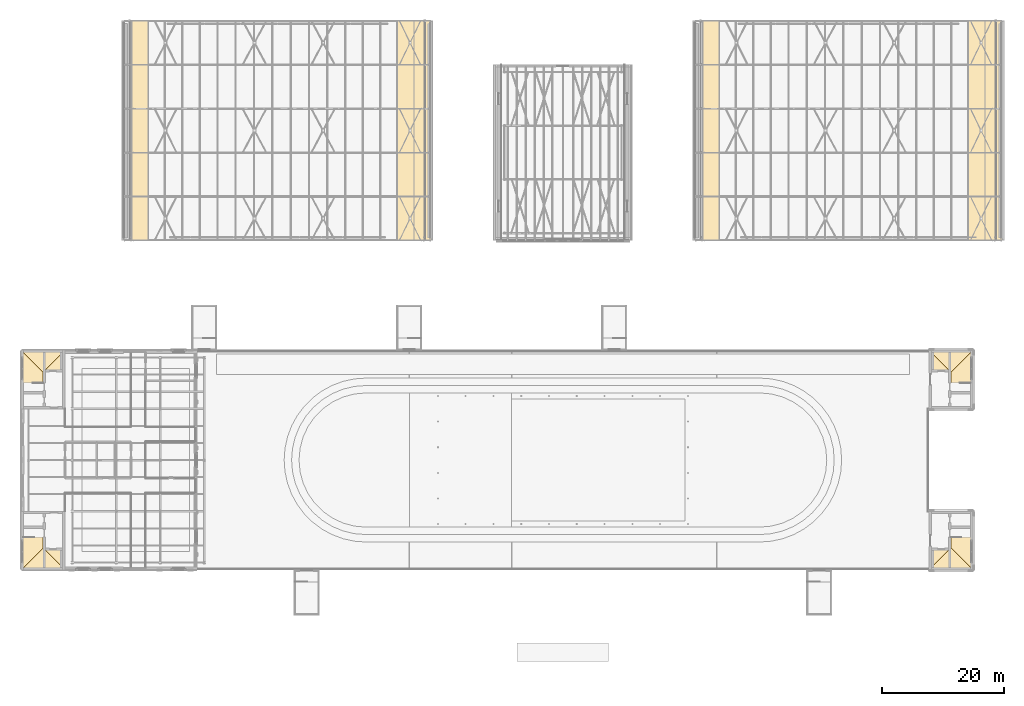
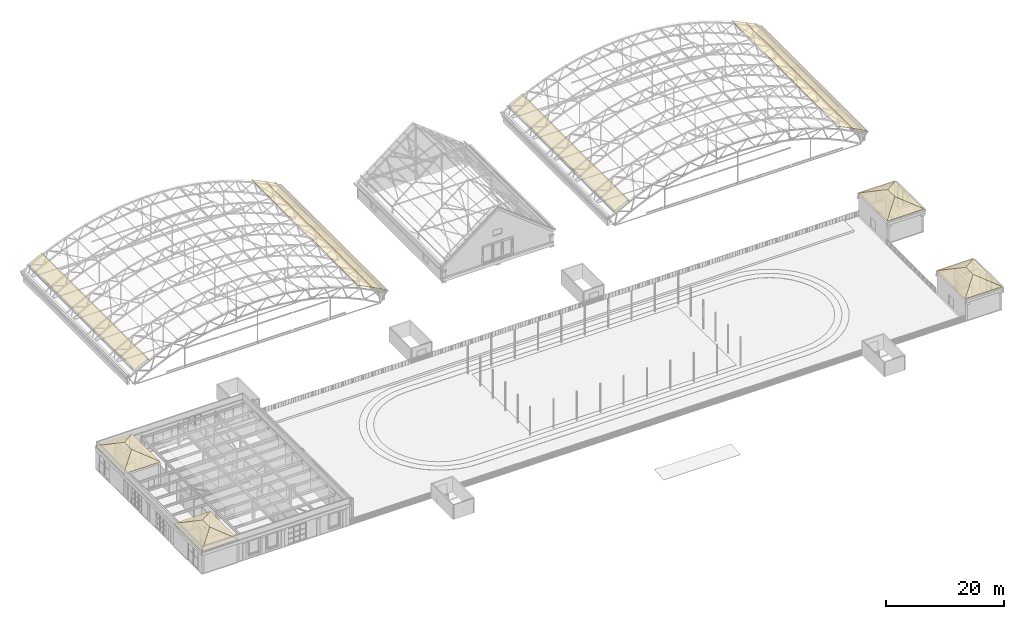
# One storey, part 127 of 127: 10 coverings.
"""IFC4 building model written with IfcOpenShell, lengths in metres."""

from ifc_helpers import new_model, si_unit, direction, frame, origin, place, context, subcontext, project, spatial, polygons, material, layer, layer_set, type_object, element, save


model = new_model("IFC4")

# Units and contexts
model_context = context("Model", 3, precision=1e-05, world=origin(), true_north=direction((0.0, 1.0)))
body_context = subcontext(model_context, "Body", "Model", "MODEL_VIEW")
ifc_project = project(units=[si_unit("LENGTHUNIT", "METRE"), si_unit("AREAUNIT", "SQUARE_METRE"), si_unit("VOLUMEUNIT", "CUBIC_METRE"), si_unit("PLANEANGLEUNIT", "RADIAN"), si_unit("MASSUNIT", "GRAM", prefix="KILO")], contexts=[model_context])

# Site, building, storey
site_placement = place(None, origin())
site = spatial("IfcSite", under=ifc_project, at=site_placement, CompositionType="ELEMENT")
building_placement = place(site_placement, origin())
building = spatial("IfcBuilding", under=site, at=building_placement, Name="Verrick Yard Athletic Hall", CompositionType="ELEMENT")
storey_placement = place(building_placement, frame((0.0, 0.0, 14.0)))
storey = spatial("IfcBuildingStorey", under=building, at=storey_placement, Name="L03", CompositionType="ELEMENT", Elevation=14.0)

# Coverings
ifc_material_1 = material(Name="Standing seam metal roofing")
ifc_layer_1 = layer(ifc_material_1, 0.030029296875)
ifc_layer_set_1 = layer_set([ifc_layer_1], Name="Core roof covering metal")
covering_type_1 = type_object("IfcCoveringType", Name="Core roof covering metal", PredefinedType="ROOFING", material=ifc_layer_set_1)
covering_1_placement = place(storey_placement, origin())
element("IfcCovering", 1, at=covering_1_placement, inside=storey, type_object=covering_type_1, Name="Roofing Wing south-west", PredefinedType="ROOFING", context=body_context, shape_type="Tessellation", body=[
    polygons([(10.0, 18.0, 4.580078125), (17.199951171875, 18.0, 4.580078125), (17.199951171875, 27.60009765625, 4.580078125), (10.0, 27.60009765625, 4.580078125), (13.60009765625, 21.60009765625, 6.199951171875), (13.60009765625, 24.0, 6.199951171875), (10.0, 18.0, 4.550048828125), (17.199951171875, 18.0, 4.550048828125), (17.199951171875, 27.60009765625, 4.550048828125), (10.0, 27.60009765625, 4.550048828125), (13.60009765625, 21.60009765625, 6.169921875), (13.60009765625, 24.0, 6.169921875)], [[[1, 2, 5]], [[2, 3, 6]], [[2, 6, 5]], [[3, 4, 6]], [[4, 1, 5]], [[4, 5, 6]], [[7, 11, 8]], [[8, 12, 9]], [[8, 11, 12]], [[9, 12, 10]], [[10, 11, 7]], [[10, 12, 11]], [[1, 7, 8]], [[1, 8, 2]], [[2, 8, 9]], [[2, 9, 3]], [[3, 9, 10]], [[3, 10, 4]], [[4, 10, 7]], [[4, 7, 1]]], closed=True),
])
covering_2_placement = place(storey_placement, origin())
element("IfcCovering", 2, at=covering_2_placement, inside=storey, type_object=covering_type_1, Name="Roofing Wing north-west", PredefinedType="ROOFING", context=body_context, shape_type="Tessellation", body=[
    polygons([(10.0, 44.39990234375, 4.580078125), (17.199951171875, 44.39990234375, 4.580078125), (17.199951171875, 54.0, 4.580078125), (10.0, 54.0, 4.580078125), (13.60009765625, 48.0, 6.199951171875), (13.60009765625, 50.39990234375, 6.199951171875), (10.0, 44.39990234375, 4.550048828125), (17.199951171875, 44.39990234375, 4.550048828125), (17.199951171875, 54.0, 4.550048828125), (10.0, 54.0, 4.550048828125), (13.60009765625, 48.0, 6.169921875), (13.60009765625, 50.39990234375, 6.169921875)], [[[1, 2, 5]], [[2, 3, 6]], [[2, 6, 5]], [[3, 4, 6]], [[4, 1, 5]], [[4, 5, 6]], [[7, 11, 8]], [[8, 12, 9]], [[8, 11, 12]], [[9, 12, 10]], [[10, 11, 7]], [[10, 12, 11]], [[1, 7, 8]], [[1, 8, 2]], [[2, 8, 9]], [[2, 9, 3]], [[3, 9, 10]], [[3, 10, 4]], [[4, 10, 7]], [[4, 7, 1]]], closed=True),
])
covering_3_placement = place(storey_placement, origin())
element("IfcCovering", 3, at=covering_3_placement, inside=storey, type_object=covering_type_1, Name="Roofing Plinth south-east", PredefinedType="ROOFING", context=body_context, shape_type="Tessellation", body=[
    polygons([(158.800048828125, 18.0, 4.580078125), (166.0, 18.0, 4.580078125), (166.0, 27.60009765625, 4.580078125), (158.800048828125, 27.60009765625, 4.580078125), (162.39990234375, 21.60009765625, 6.199951171875), (162.39990234375, 24.0, 6.199951171875), (158.800048828125, 18.0, 4.550048828125), (166.0, 18.0, 4.550048828125), (166.0, 27.60009765625, 4.550048828125), (158.800048828125, 27.60009765625, 4.550048828125), (162.39990234375, 21.60009765625, 6.169921875), (162.39990234375, 24.0, 6.169921875)], [[[1, 2, 5]], [[2, 3, 6]], [[2, 6, 5]], [[3, 4, 6]], [[4, 1, 5]], [[4, 5, 6]], [[7, 11, 8]], [[8, 12, 9]], [[8, 11, 12]], [[9, 12, 10]], [[10, 11, 7]], [[10, 12, 11]], [[1, 7, 8]], [[1, 8, 2]], [[2, 8, 9]], [[2, 9, 3]], [[3, 9, 10]], [[3, 10, 4]], [[4, 10, 7]], [[4, 7, 1]]], closed=True),
])
covering_4_placement = place(storey_placement, origin())
element("IfcCovering", 4, at=covering_4_placement, inside=storey, type_object=covering_type_1, Name="Roofing Plinth north-east", PredefinedType="ROOFING", context=body_context, shape_type="Tessellation", body=[
    polygons([(158.800048828125, 44.39990234375, 4.580078125), (166.0, 44.39990234375, 4.580078125), (166.0, 54.0, 4.580078125), (158.800048828125, 54.0, 4.580078125), (162.39990234375, 48.0, 6.199951171875), (162.39990234375, 50.39990234375, 6.199951171875), (158.800048828125, 44.39990234375, 4.550048828125), (166.0, 44.39990234375, 4.550048828125), (166.0, 54.0, 4.550048828125), (158.800048828125, 54.0, 4.550048828125), (162.39990234375, 48.0, 6.169921875), (162.39990234375, 50.39990234375, 6.169921875)], [[[1, 2, 5]], [[2, 3, 6]], [[2, 6, 5]], [[3, 4, 6]], [[4, 1, 5]], [[4, 5, 6]], [[7, 11, 8]], [[8, 12, 9]], [[8, 11, 12]], [[9, 12, 10]], [[10, 11, 7]], [[10, 12, 11]], [[1, 7, 8]], [[1, 8, 2]], [[2, 8, 9]], [[2, 9, 3]], [[3, 9, 10]], [[3, 10, 4]], [[4, 10, 7]], [[4, 7, 1]]], closed=True),
])
ifc_material_2 = material(Name="Standing-seam aluminium roofing", Category="aluminium")
ifc_layer_2 = layer(ifc_material_2, 0.050048828125)
ifc_layer_set_2 = layer_set([ifc_layer_2], Name="Roof covering standing seam")
covering_type_2 = type_object("IfcCoveringType", Name="Roof covering standing seam", PredefinedType="ROOFING", material=ifc_layer_set_2)
covering_5_placement = place(storey_placement, origin())
element("IfcCovering", 5, at=covering_5_placement, inside=storey, type_object=covering_type_2, Name="Court hall A roofing course 2", PredefinedType="ROOFING", context=body_context, shape_type="Tessellation", body=[
    polygons([(121.736083984375, 72.0, 2.923583984375), (121.962646484375, 72.0, 3.055908203125), (124.410888671875, 72.0, 4.30126953125), (121.736083984375, 108.0, 2.923583984375), (121.962646484375, 108.0, 3.055908203125), (124.410888671875, 108.0, 4.30126953125), (121.710693359375, 72.0, 2.966796875), (121.9384765625, 72.0, 3.099853515625), (124.388427734375, 72.0, 4.345703125), (121.710693359375, 108.0, 2.966796875), (121.9384765625, 108.0, 3.099853515625), (124.388427734375, 108.0, 4.345703125)], [[[1, 5, 2]], [[1, 4, 5]], [[7, 8, 11]], [[7, 11, 10]], [[1, 2, 8]], [[1, 8, 7]], [[4, 11, 5]], [[4, 10, 11]], [[2, 6, 3]], [[2, 5, 6]], [[8, 9, 12]], [[8, 12, 11]], [[2, 3, 9]], [[2, 9, 8]], [[5, 12, 6]], [[5, 11, 12]], [[1, 7, 10]], [[1, 10, 4]], [[3, 12, 9]], [[3, 6, 12]]], closed=True),
])
covering_6_placement = place(storey_placement, origin())
element("IfcCovering", 6, at=covering_6_placement, inside=storey, type_object=covering_type_2, Name="Court hall A roofing course 17", PredefinedType="ROOFING", context=body_context, shape_type="Tessellation", body=[
    polygons([(165.257080078125, 72.0, 5.0234375), (165.85546875, 72.0, 4.77587890625), (167.965087890625, 72.0, 3.703125), (165.257080078125, 108.0, 5.0234375), (165.85546875, 108.0, 4.77587890625), (167.965087890625, 108.0, 3.703125), (165.276123046875, 72.0, 5.069580078125), (165.87646484375, 72.0, 4.8212890625), (167.987548828125, 72.0, 3.747802734375), (165.276123046875, 108.0, 5.069580078125), (165.87646484375, 108.0, 4.8212890625), (167.987548828125, 108.0, 3.747802734375)], [[[1, 5, 2]], [[1, 4, 5]], [[7, 8, 11]], [[7, 11, 10]], [[1, 2, 8]], [[1, 8, 7]], [[4, 11, 5]], [[4, 10, 11]], [[2, 6, 3]], [[2, 5, 6]], [[8, 9, 12]], [[8, 12, 11]], [[2, 3, 9]], [[2, 9, 8]], [[5, 12, 6]], [[5, 11, 12]], [[1, 7, 10]], [[1, 10, 4]], [[3, 12, 9]], [[3, 6, 12]]], closed=True),
])
covering_7_placement = place(storey_placement, origin())
element("IfcCovering", 7, at=covering_7_placement, inside=storey, type_object=covering_type_2, Name="Court hall A roofing course 18", PredefinedType="ROOFING", context=body_context, shape_type="Tessellation", body=[
    polygons([(167.965087890625, 72.0, 3.703125), (169.237548828125, 72.0, 3.055908203125), (170.863037109375, 72.0, 2.10498046875), (167.965087890625, 108.0, 3.703125), (169.237548828125, 108.0, 3.055908203125), (170.863037109375, 108.0, 2.10498046875), (167.987548828125, 72.0, 3.747802734375), (169.261474609375, 72.0, 3.099853515625), (170.888427734375, 72.0, 2.148193359375), (167.987548828125, 108.0, 3.747802734375), (169.261474609375, 108.0, 3.099853515625), (170.888427734375, 108.0, 2.148193359375)], [[[1, 5, 2]], [[1, 4, 5]], [[7, 8, 11]], [[7, 11, 10]], [[1, 2, 8]], [[1, 8, 7]], [[4, 11, 5]], [[4, 10, 11]], [[2, 6, 3]], [[2, 5, 6]], [[8, 9, 12]], [[8, 12, 11]], [[2, 3, 9]], [[2, 9, 8]], [[5, 12, 6]], [[5, 11, 12]], [[1, 7, 10]], [[1, 10, 4]], [[3, 12, 9]], [[3, 6, 12]]], closed=True),
])
covering_8_placement = place(storey_placement, origin())
element("IfcCovering", 8, at=covering_8_placement, inside=storey, type_object=covering_type_2, Name="Court hall B roofing course 2", PredefinedType="ROOFING", context=body_context, shape_type="Tessellation", body=[
    polygons([(28.135986328125, 72.0, 2.923583984375), (28.362548828125, 72.0, 3.055908203125), (30.81103515625, 72.0, 4.30126953125), (28.135986328125, 108.0, 2.923583984375), (28.362548828125, 108.0, 3.055908203125), (30.81103515625, 108.0, 4.30126953125), (28.11083984375, 72.0, 2.966796875), (28.338623046875, 72.0, 3.099853515625), (30.788330078125, 72.0, 4.345703125), (28.11083984375, 108.0, 2.966796875), (28.338623046875, 108.0, 3.099853515625), (30.788330078125, 108.0, 4.345703125)], [[[1, 5, 2]], [[1, 4, 5]], [[7, 8, 11]], [[7, 11, 10]], [[1, 2, 8]], [[1, 8, 7]], [[4, 11, 5]], [[4, 10, 11]], [[2, 6, 3]], [[2, 5, 6]], [[8, 9, 12]], [[8, 12, 11]], [[2, 3, 9]], [[2, 9, 8]], [[5, 12, 6]], [[5, 11, 12]], [[1, 7, 10]], [[1, 10, 4]], [[3, 12, 9]], [[3, 6, 12]]], closed=True),
])
covering_9_placement = place(storey_placement, origin())
element("IfcCovering", 9, at=covering_9_placement, inside=storey, type_object=covering_type_2, Name="Court hall B roofing course 17", PredefinedType="ROOFING", context=body_context, shape_type="Tessellation", body=[
    polygons([(71.656982421875, 72.0, 5.0234375), (72.255615234375, 72.0, 4.77587890625), (74.364990234375, 72.0, 3.703125), (71.656982421875, 108.0, 5.0234375), (72.255615234375, 108.0, 4.77587890625), (74.364990234375, 108.0, 3.703125), (71.676025390625, 72.0, 5.069580078125), (72.276611328125, 72.0, 4.8212890625), (74.3876953125, 72.0, 3.747802734375), (71.676025390625, 108.0, 5.069580078125), (72.276611328125, 108.0, 4.8212890625), (74.3876953125, 108.0, 3.747802734375)], [[[1, 5, 2]], [[1, 4, 5]], [[7, 8, 11]], [[7, 11, 10]], [[1, 2, 8]], [[1, 8, 7]], [[4, 11, 5]], [[4, 10, 11]], [[2, 6, 3]], [[2, 5, 6]], [[8, 9, 12]], [[8, 12, 11]], [[2, 3, 9]], [[2, 9, 8]], [[5, 12, 6]], [[5, 11, 12]], [[1, 7, 10]], [[1, 10, 4]], [[3, 12, 9]], [[3, 6, 12]]], closed=True),
])
covering_10_placement = place(storey_placement, origin())
element("IfcCovering", 10, at=covering_10_placement, inside=storey, type_object=covering_type_2, Name="Court hall B roofing course 18", PredefinedType="ROOFING", context=body_context, shape_type="Tessellation", body=[
    polygons([(74.364990234375, 72.0, 3.703125), (75.637451171875, 72.0, 3.055908203125), (77.26318359375, 72.0, 2.10498046875), (74.364990234375, 108.0, 3.703125), (75.637451171875, 108.0, 3.055908203125), (77.26318359375, 108.0, 2.10498046875), (74.3876953125, 72.0, 3.747802734375), (75.661376953125, 72.0, 3.099853515625), (77.288330078125, 72.0, 2.148193359375), (74.3876953125, 108.0, 3.747802734375), (75.661376953125, 108.0, 3.099853515625), (77.288330078125, 108.0, 2.148193359375)], [[[1, 5, 2]], [[1, 4, 5]], [[7, 8, 11]], [[7, 11, 10]], [[1, 2, 8]], [[1, 8, 7]], [[4, 11, 5]], [[4, 10, 11]], [[2, 6, 3]], [[2, 5, 6]], [[8, 9, 12]], [[8, 12, 11]], [[2, 3, 9]], [[2, 9, 8]], [[5, 12, 6]], [[5, 11, 12]], [[1, 7, 10]], [[1, 10, 4]], [[3, 12, 9]], [[3, 6, 12]]], closed=True),
])

save(model, "model.ifc")
